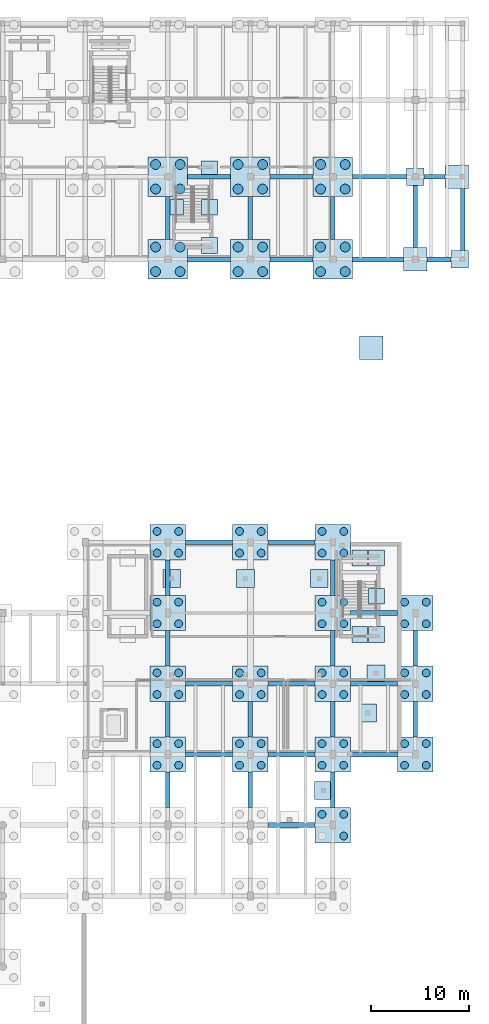
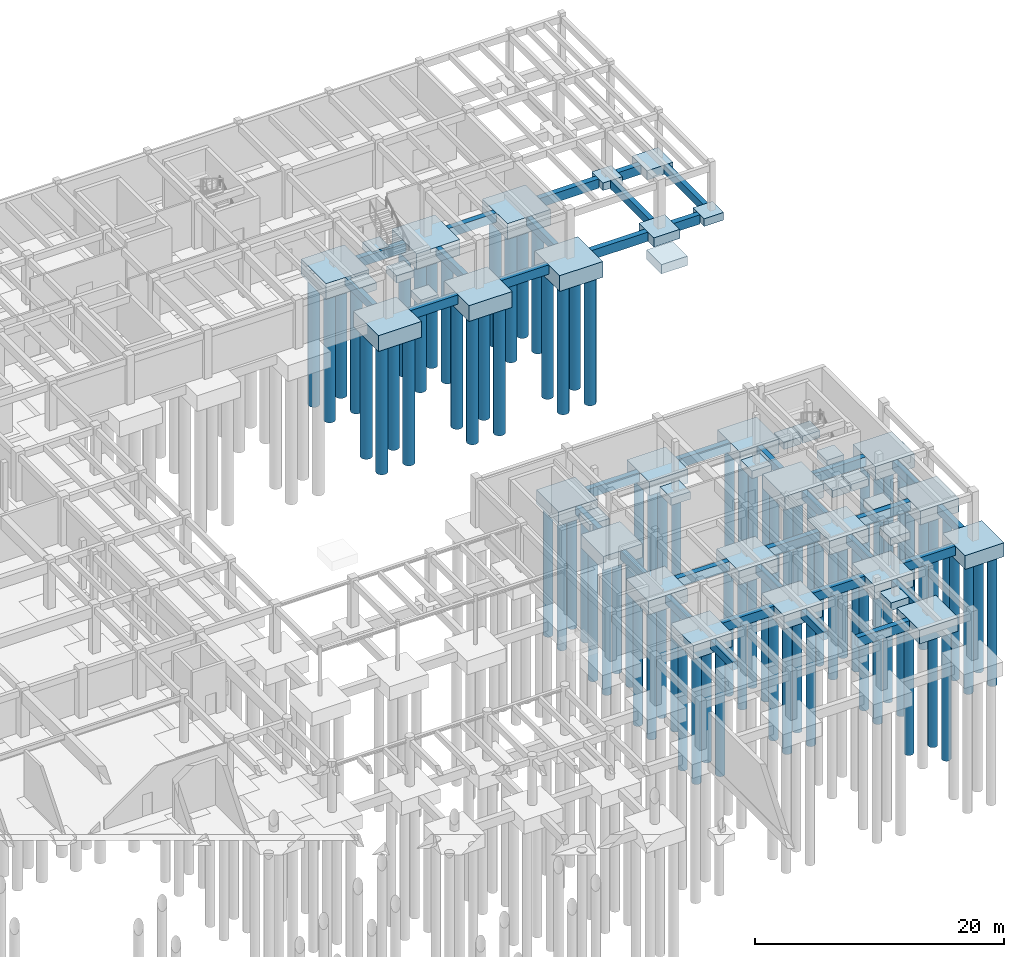
# One storey, part 8 of 46: 83 piles, 76 footings.
"""IFC4 building model written with IfcOpenShell, lengths in metres."""

from ifc_helpers import new_model, si_unit, direction, frame, origin, origin_2d, place, context, subcontext, project, spatial, rectangle, circle, extrude, material, material_profile, profile_set, type_object, element, save


model = new_model("IFC4")

# Units and contexts
model_context = context("Model", 3, precision=1e-05, world=origin(), true_north=direction((0.0, 1.0)))
body_context = subcontext(model_context, "Body", "Model", "MODEL_VIEW")
ifc_project = project(units=[si_unit("LENGTHUNIT", "METRE"), si_unit("AREAUNIT", "SQUARE_METRE"), si_unit("VOLUMEUNIT", "CUBIC_METRE"), si_unit("PLANEANGLEUNIT", "RADIAN"), si_unit("MASSUNIT", "GRAM", prefix="KILO")], contexts=[model_context])

# Site, building, storey
site_placement = place(None, origin())
site = spatial("IfcSite", under=ifc_project, at=site_placement, CompositionType="ELEMENT")
building_placement = place(site_placement, origin())
building = spatial("IfcBuilding", under=site, at=building_placement, Name="Tazoul Stagehouse", CompositionType="ELEMENT")
storey_placement = place(building_placement, frame((0.0, 0.0, -4.800048828125)))
storey = spatial("IfcBuildingStorey", under=building, at=storey_placement, Name="B1", CompositionType="ELEMENT", Elevation=-4.800048828125)

# Piles
ifc_material = material(Name="Concrete C35/45", Category="concrete")
ifc_material_profile_1 = material_profile(ifc_material, circle(Radius=0.5, at=origin_2d()), Name="BORED PILE 1000")
ifc_profile_set_1 = profile_set([ifc_material_profile_1], Name="Concrete C35/45")
pile_type_1 = type_object("IfcPileType", Name="Bored Cast-in-Place Concrete Pile D1000", PredefinedType="BORED", material=ifc_profile_set_1)
for number, where, z_axis, x_axis, name in (
    (1, (132.550048828125, 86.550048828125, -1.449951171875), (0.0, 0.0, -1.0), (1.0, 0.0, 0.0), "Bored Pile PL-03 20/N-1"),
    (2, (135.050048828125, 86.550048828125, -1.449951171875), (0.0, 0.0, -1.0), (1.0, 0.0, 0.0), "Bored Pile PL-03 20/N-2"),
    (3, (132.550048828125, 89.050048828125, -1.449951171875), (0.0, 0.0, -1.0), (1.0, 0.0, 0.0), "Bored Pile PL-03 20/N-3"),
    (4, (135.050048828125, 89.050048828125, -1.449951171875), (0.0, 0.0, -1.0), (1.0, 0.0, 0.0), "Bored Pile PL-03 20/N-4"),
    (5, (132.550048828125, 94.949951171875, -1.449951171875), (0.0, 0.0, -1.0), (1.0, 0.0, 0.0), "Bored Pile PL-03 20/P-1"),
    (6, (135.050048828125, 94.949951171875, -1.449951171875), (0.0, 0.0, -1.0), (1.0, 0.0, 0.0), "Bored Pile PL-03 20/P-2"),
    (7, (132.550048828125, 97.449951171875, -1.449951171875), (0.0, 0.0, -1.0), (1.0, 0.0, 0.0), "Bored Pile PL-03 20/P-3"),
    (8, (135.050048828125, 97.449951171875, -1.449951171875), (0.0, 0.0, -1.0), (1.0, 0.0, 0.0), "Bored Pile PL-03 20/P-4"),
    (9, (140.949951171875, 86.550048828125, -1.449951171875), (0.0, 0.0, -1.0), (1.0, 0.0, 0.0), "Bored Pile PL-03 21/N-1"),
    (10, (143.449951171875, 86.550048828125, -1.449951171875), (0.0, 0.0, -1.0), (1.0, 0.0, 0.0), "Bored Pile PL-03 21/N-2"),
    (11, (140.949951171875, 89.050048828125, -1.449951171875), (0.0, 0.0, -1.0), (1.0, 0.0, 0.0), "Bored Pile PL-03 21/N-3"),
    (12, (143.449951171875, 89.050048828125, -1.449951171875), (0.0, 0.0, -1.0), (1.0, 0.0, 0.0), "Bored Pile PL-03 21/N-4"),
    (13, (140.949951171875, 94.949951171875, -1.449951171875), (0.0, 0.0, -1.0), (1.0, 0.0, 0.0), "Bored Pile PL-03 21/P-1"),
    (14, (143.449951171875, 94.949951171875, -1.449951171875), (0.0, 0.0, -1.0), (1.0, 0.0, 0.0), "Bored Pile PL-03 21/P-2"),
    (15, (140.949951171875, 97.449951171875, -1.449951171875), (0.0, 0.0, -1.0), (1.0, 0.0, 0.0), "Bored Pile PL-03 21/P-3"),
    (16, (143.449951171875, 97.449951171875, -1.449951171875), (0.0, 0.0, -1.0), (1.0, 0.0, 0.0), "Bored Pile PL-03 21/P-4"),
    (17, (149.35009765625, 86.550048828125, -1.449951171875), (0.0, 0.0, -1.0), (1.0, 0.0, 0.0), "Bored Pile PL-03 22/N-1"),
    (18, (151.85009765625, 86.550048828125, -1.449951171875), (0.0, 0.0, -1.0), (1.0, 0.0, 0.0), "Bored Pile PL-03 22/N-2"),
    (19, (149.35009765625, 89.050048828125, -1.449951171875), (0.0, 0.0, -1.0), (1.0, 0.0, 0.0), "Bored Pile PL-03 22/N-3"),
    (20, (151.85009765625, 89.050048828125, -1.449951171875), (0.0, 0.0, -1.0), (1.0, 0.0, 0.0), "Bored Pile PL-03 22/N-4"),
    (21, (149.35009765625, 94.949951171875, -1.449951171875), (0.0, 0.0, -1.0), (1.0, 0.0, 0.0), "Bored Pile PL-03 22/P-1"),
    (22, (151.85009765625, 94.949951171875, -1.449951171875), (0.0, 0.0, -1.0), (1.0, 0.0, 0.0), "Bored Pile PL-03 22/P-2"),
    (23, (149.35009765625, 97.449951171875, -1.449951171875), (0.0, 0.0, -1.0), (1.0, 0.0, 0.0), "Bored Pile PL-03 22/P-3"),
    (24, (151.85009765625, 97.449951171875, -1.449951171875), (0.0, 0.0, -1.0), (1.0, 0.0, 0.0), "Bored Pile PL-03 22/P-4"),
):
    element("IfcPile", number, at=place(storey_placement, frame(where, z_axis=z_axis, x_axis=x_axis)), inside=storey, type_object=pile_type_1, Name=name, PredefinedType="BORED", context=body_context, shape_type="SweptSolid", body=[
        extrude(circle(Radius=0.5, at=origin_2d()), origin(), (0.0, 0.0, 1.0), 12.550048828125),
    ])
ifc_material_profile_2 = material_profile(ifc_material, circle(Radius=0.39990234375, at=origin_2d()), Name="BORED PILE 800")
ifc_profile_set_2 = profile_set([ifc_material_profile_2], Name="Concrete C35/45")
pile_type_2 = type_object("IfcPileType", Name="Bored Cast-in-Place Concrete Pile D800", PredefinedType="BORED", material=ifc_profile_set_2)
for number, where, z_axis, x_axis, name in (
    (25, (132.699951171875, 36.300048828125, -1.25), (0.0, 0.0, -1.0), (1.0, 0.0, 0.0), "Bored Pile PL-01 20/F-1"),
    (26, (134.89990234375, 36.300048828125, -1.25), (0.0, 0.0, -1.0), (1.0, 0.0, 0.0), "Bored Pile PL-01 20/F-2"),
    (27, (132.699951171875, 38.5, -1.25), (0.0, 0.0, -1.0), (1.0, 0.0, 0.0), "Bored Pile PL-01 20/F-3"),
    (28, (134.89990234375, 38.5, -1.25), (0.0, 0.0, -1.0), (1.0, 0.0, 0.0), "Bored Pile PL-01 20/F-4"),
    (29, (132.699951171875, 43.5, -1.25), (0.0, 0.0, -1.0), (1.0, 0.0, 0.0), "Bored Pile PL-01 20/G-1"),
    (30, (134.89990234375, 43.5, -1.25), (0.0, 0.0, -1.0), (1.0, 0.0, 0.0), "Bored Pile PL-01 20/G-2"),
    (31, (132.699951171875, 45.699951171875, -1.25), (0.0, 0.0, -1.0), (1.0, 0.0, 0.0), "Bored Pile PL-01 20/G-3"),
    (32, (134.89990234375, 45.699951171875, -1.25), (0.0, 0.0, -1.0), (1.0, 0.0, 0.0), "Bored Pile PL-01 20/G-4"),
    (33, (132.699951171875, 50.699951171875, -1.25), (0.0, 0.0, -1.0), (1.0, 0.0, 0.0), "Bored Pile PL-01 20/H-1"),
    (34, (134.89990234375, 50.699951171875, -1.25), (0.0, 0.0, -1.0), (1.0, 0.0, 0.0), "Bored Pile PL-01 20/H-2"),
    (35, (132.699951171875, 52.89990234375, -1.25), (0.0, 0.0, -1.0), (1.0, 0.0, 0.0), "Bored Pile PL-01 20/H-3"),
    (36, (134.89990234375, 52.89990234375, -1.25), (0.0, 0.0, -1.0), (1.0, 0.0, 0.0), "Bored Pile PL-01 20/H-4"),
    (37, (132.699951171875, 57.89990234375, -1.25), (0.0, 0.0, -1.0), (1.0, 0.0, 0.0), "Bored Pile PL-01 20/J-1"),
    (38, (134.89990234375, 57.89990234375, -1.25), (0.0, 0.0, -1.0), (1.0, 0.0, 0.0), "Bored Pile PL-01 20/J-2"),
    (39, (132.699951171875, 60.10009765625, -1.25), (0.0, 0.0, -1.0), (1.0, 0.0, 0.0), "Bored Pile PL-01 20/J-3"),
    (40, (134.89990234375, 60.10009765625, -1.25), (0.0, 0.0, -1.0), (1.0, 0.0, 0.0), "Bored Pile PL-01 20/J-4"),
    (41, (141.10009765625, 36.300048828125, -1.25), (0.0, 0.0, -1.0), (1.0, 0.0, 0.0), "Bored Pile PL-01 21/F-1"),
    (42, (143.300048828125, 36.300048828125, -1.25), (0.0, 0.0, -1.0), (1.0, 0.0, 0.0), "Bored Pile PL-01 21/F-2"),
    (43, (141.10009765625, 38.5, -1.25), (0.0, 0.0, -1.0), (1.0, 0.0, 0.0), "Bored Pile PL-01 21/F-3"),
    (44, (143.300048828125, 38.5, -1.25), (0.0, 0.0, -1.0), (1.0, 0.0, 0.0), "Bored Pile PL-01 21/F-4"),
    (45, (141.10009765625, 43.5, -1.25), (0.0, 0.0, -1.0), (1.0, 0.0, 0.0), "Bored Pile PL-01 21/G-1"),
    (46, (143.300048828125, 43.5, -1.25), (0.0, 0.0, -1.0), (1.0, 0.0, 0.0), "Bored Pile PL-01 21/G-2"),
    (47, (141.10009765625, 45.699951171875, -1.25), (0.0, 0.0, -1.0), (1.0, 0.0, 0.0), "Bored Pile PL-01 21/G-3"),
    (48, (143.300048828125, 45.699951171875, -1.25), (0.0, 0.0, -1.0), (1.0, 0.0, 0.0), "Bored Pile PL-01 21/G-4"),
    (49, (141.10009765625, 57.89990234375, -1.25), (0.0, 0.0, -1.0), (1.0, 0.0, 0.0), "Bored Pile PL-01 21/J-1"),
    (50, (143.300048828125, 57.89990234375, -1.25), (0.0, 0.0, -1.0), (1.0, 0.0, 0.0), "Bored Pile PL-01 21/J-2"),
    (51, (141.10009765625, 60.10009765625, -1.25), (0.0, 0.0, -1.0), (1.0, 0.0, 0.0), "Bored Pile PL-01 21/J-3"),
    (52, (143.300048828125, 60.10009765625, -1.25), (0.0, 0.0, -1.0), (1.0, 0.0, 0.0), "Bored Pile PL-01 21/J-4"),
    (53, (151.699951171875, 29.10009765625, -1.25), (0.0, 0.0, -1.0), (1.0, 0.0, 0.0), "Bored Pile PL-01 22/E-2"),
    (54, (149.5, 31.300048828125, -1.25), (0.0, 0.0, -1.0), (1.0, 0.0, 0.0), "Bored Pile PL-01 22/E-3"),
    (55, (151.699951171875, 31.300048828125, -1.25), (0.0, 0.0, -1.0), (1.0, 0.0, 0.0), "Bored Pile PL-01 22/E-4"),
    (56, (149.5, 36.300048828125, -1.25), (0.0, 0.0, -1.0), (1.0, 0.0, 0.0), "Bored Pile PL-01 22/F-1"),
    (57, (151.699951171875, 36.300048828125, -1.25), (0.0, 0.0, -1.0), (1.0, 0.0, 0.0), "Bored Pile PL-01 22/F-2"),
    (58, (149.5, 38.5, -1.25), (0.0, 0.0, -1.0), (1.0, 0.0, 0.0), "Bored Pile PL-01 22/F-3"),
    (59, (151.699951171875, 38.5, -1.25), (0.0, 0.0, -1.0), (1.0, 0.0, 0.0), "Bored Pile PL-01 22/F-4"),
    (60, (149.5, 43.5, -1.25), (0.0, 0.0, -1.0), (1.0, 0.0, 0.0), "Bored Pile PL-01 22/G-1"),
    (61, (151.699951171875, 43.5, -1.25), (0.0, 0.0, -1.0), (1.0, 0.0, 0.0), "Bored Pile PL-01 22/G-2"),
    (62, (149.5, 45.699951171875, -1.25), (0.0, 0.0, -1.0), (1.0, 0.0, 0.0), "Bored Pile PL-01 22/G-3"),
    (63, (151.699951171875, 45.699951171875, -1.25), (0.0, 0.0, -1.0), (1.0, 0.0, 0.0), "Bored Pile PL-01 22/G-4"),
    (64, (149.5, 50.699951171875, -1.25), (0.0, 0.0, -1.0), (1.0, 0.0, 0.0), "Bored Pile PL-01 22/H-1"),
    (65, (151.699951171875, 50.699951171875, -1.25), (0.0, 0.0, -1.0), (1.0, 0.0, 0.0), "Bored Pile PL-01 22/H-2"),
    (66, (149.5, 52.89990234375, -1.25), (0.0, 0.0, -1.0), (1.0, 0.0, 0.0), "Bored Pile PL-01 22/H-3"),
    (67, (151.699951171875, 52.89990234375, -1.25), (0.0, 0.0, -1.0), (1.0, 0.0, 0.0), "Bored Pile PL-01 22/H-4"),
    (68, (149.5, 57.89990234375, -1.25), (0.0, 0.0, -1.0), (1.0, 0.0, 0.0), "Bored Pile PL-01 22/J-1"),
    (69, (151.699951171875, 57.89990234375, -1.25), (0.0, 0.0, -1.0), (1.0, 0.0, 0.0), "Bored Pile PL-01 22/J-2"),
    (70, (149.5, 60.10009765625, -1.25), (0.0, 0.0, -1.0), (1.0, 0.0, 0.0), "Bored Pile PL-01 22/J-3"),
    (71, (151.699951171875, 60.10009765625, -1.25), (0.0, 0.0, -1.0), (1.0, 0.0, 0.0), "Bored Pile PL-01 22/J-4"),
    (72, (157.89990234375, 36.300048828125, -1.25), (0.0, 0.0, -1.0), (1.0, 0.0, 0.0), "Bored Pile PL-01 23/F-1"),
    (73, (160.10009765625, 36.300048828125, -1.25), (0.0, 0.0, -1.0), (1.0, 0.0, 0.0), "Bored Pile PL-01 23/F-2"),
    (74, (157.89990234375, 38.5, -1.25), (0.0, 0.0, -1.0), (1.0, 0.0, 0.0), "Bored Pile PL-01 23/F-3"),
    (75, (160.10009765625, 38.5, -1.25), (0.0, 0.0, -1.0), (1.0, 0.0, 0.0), "Bored Pile PL-01 23/F-4"),
    (76, (157.89990234375, 43.5, -1.25), (0.0, 0.0, -1.0), (1.0, 0.0, 0.0), "Bored Pile PL-01 23/G-1"),
    (77, (160.10009765625, 43.5, -1.25), (0.0, 0.0, -1.0), (1.0, 0.0, 0.0), "Bored Pile PL-01 23/G-2"),
    (78, (157.89990234375, 45.699951171875, -1.25), (0.0, 0.0, -1.0), (1.0, 0.0, 0.0), "Bored Pile PL-01 23/G-3"),
    (79, (160.10009765625, 45.699951171875, -1.25), (0.0, 0.0, -1.0), (1.0, 0.0, 0.0), "Bored Pile PL-01 23/G-4"),
    (80, (157.89990234375, 50.699951171875, -1.25), (0.0, 0.0, -1.0), (1.0, 0.0, 0.0), "Bored Pile PL-01 23/H-1"),
    (81, (160.10009765625, 50.699951171875, -1.25), (0.0, 0.0, -1.0), (1.0, 0.0, 0.0), "Bored Pile PL-01 23/H-2"),
    (82, (157.89990234375, 52.89990234375, -1.25), (0.0, 0.0, -1.0), (1.0, 0.0, 0.0), "Bored Pile PL-01 23/H-3"),
    (83, (160.10009765625, 52.89990234375, -1.25), (0.0, 0.0, -1.0), (1.0, 0.0, 0.0), "Bored Pile PL-01 23/H-4"),
):
    element("IfcPile", number, at=place(storey_placement, frame(where, z_axis=z_axis, x_axis=x_axis)), inside=storey, type_object=pile_type_2, Name=name, PredefinedType="BORED", context=body_context, shape_type="SweptSolid", body=[
        extrude(circle(Radius=0.39990234375, at=origin_2d()), origin(), (0.0, 0.0, 1.0), 12.75),
    ])

# Footings
footing_type_1 = type_object("IfcFootingType", Name="Four-Pile Cap 3600x3600x1350", PredefinedType="PILE_CAP", material=ifc_material)
for number, where, z_axis, x_axis, name in (
    (84, (133.800048828125, 37.39990234375, -1.35009765625), (0.0, 0.0, 1.0), (1.0, 0.0, 0.0), "Pile Cap PC-04 at 20/F"),
    (85, (133.800048828125, 44.60009765625, -1.35009765625), (0.0, 0.0, 1.0), (1.0, 0.0, 0.0), "Pile Cap PC-04 at 20/G"),
    (86, (133.800048828125, 51.800048828125, -1.35009765625), (0.0, 0.0, 1.0), (1.0, 0.0, 0.0), "Pile Cap PC-04 at 20/H"),
    (87, (133.800048828125, 59.0, -1.35009765625), (0.0, 0.0, 1.0), (1.0, 0.0, 0.0), "Pile Cap PC-04 at 20/J"),
    (88, (142.199951171875, 37.39990234375, -1.35009765625), (0.0, 0.0, 1.0), (1.0, 0.0, 0.0), "Pile Cap PC-04 at 21/F"),
    (89, (142.199951171875, 44.60009765625, -1.35009765625), (0.0, 0.0, 1.0), (1.0, 0.0, 0.0), "Pile Cap PC-04 at 21/G"),
    (90, (142.199951171875, 59.0, -1.35009765625), (0.0, 0.0, 1.0), (1.0, 0.0, 0.0), "Pile Cap PC-04 at 21/J"),
    (91, (150.60009765625, 30.199951171875, -1.35009765625), (0.0, 0.0, 1.0), (1.0, 0.0, 0.0), "Pile Cap PC-04 at 22/E"),
    (92, (150.60009765625, 37.39990234375, -1.35009765625), (0.0, 0.0, 1.0), (1.0, 0.0, 0.0), "Pile Cap PC-04 at 22/F"),
    (93, (150.60009765625, 44.60009765625, -1.35009765625), (0.0, 0.0, 1.0), (1.0, 0.0, 0.0), "Pile Cap PC-04 at 22/G"),
    (94, (150.60009765625, 51.800048828125, -1.35009765625), (0.0, 0.0, 1.0), (1.0, 0.0, 0.0), "Pile Cap PC-04 at 22/H"),
    (95, (150.60009765625, 59.0, -1.35009765625), (0.0, 0.0, 1.0), (1.0, 0.0, 0.0), "Pile Cap PC-04 at 22/J"),
    (96, (159.0, 37.39990234375, -1.35009765625), (0.0, 0.0, 1.0), (1.0, 0.0, 0.0), "Pile Cap PC-04 at 23/F"),
    (97, (159.0, 44.60009765625, -1.35009765625), (0.0, 0.0, 1.0), (1.0, 0.0, 0.0), "Pile Cap PC-04 at 23/G"),
    (98, (159.0, 51.800048828125, -1.35009765625), (0.0, 0.0, 1.0), (1.0, 0.0, 0.0), "Pile Cap PC-04 at 23/H"),
):
    element("IfcFooting", number, at=place(storey_placement, frame(where, z_axis=z_axis, x_axis=x_axis)), inside=storey, type_object=footing_type_1, Name=name, PredefinedType="PILE_CAP", context=body_context, shape_type="SweptSolid", body=[
        extrude(rectangle(XDim=3.60009765625, YDim=3.60009765625, at=origin_2d()), origin(), (0.0, 0.0, 1.0), 1.35009765625),
    ])
footing_type_2 = type_object("IfcFootingType", Name="Four-Pile Cap 4000x4000x1550", PredefinedType="PILE_CAP", material=ifc_material)
for number, where, z_axis, x_axis, name in (
    (99, (133.800048828125, 87.800048828125, -1.5498046875), (0.0, 0.0, 1.0), (1.0, 0.0, 0.0), "Pile Cap PC-06 at 20/N"),
    (100, (133.800048828125, 96.199951171875, -1.5498046875), (0.0, 0.0, 1.0), (1.0, 0.0, 0.0), "Pile Cap PC-06 at 20/P"),
    (101, (142.199951171875, 87.800048828125, -1.5498046875), (0.0, 0.0, 1.0), (1.0, 0.0, 0.0), "Pile Cap PC-06 at 21/N"),
    (102, (142.199951171875, 96.199951171875, -1.5498046875), (0.0, 0.0, 1.0), (1.0, 0.0, 0.0), "Pile Cap PC-06 at 21/P"),
    (103, (150.60009765625, 87.800048828125, -1.5498046875), (0.0, 0.0, 1.0), (1.0, 0.0, 0.0), "Pile Cap PC-06 at 22/N"),
    (104, (150.60009765625, 96.199951171875, -1.5498046875), (0.0, 0.0, 1.0), (1.0, 0.0, 0.0), "Pile Cap PC-06 at 22/P"),
):
    element("IfcFooting", number, at=place(storey_placement, frame(where, z_axis=z_axis, x_axis=x_axis)), inside=storey, type_object=footing_type_2, Name=name, PredefinedType="PILE_CAP", context=body_context, shape_type="SweptSolid", body=[
        extrude(rectangle(XDim=4.0, YDim=4.0, at=origin_2d()), origin(), (0.0, 0.0, 1.0), 1.550048828125),
    ])
ifc_material_profile_3 = material_profile(ifc_material, rectangle(XDim=0.449951171875, YDim=0.800048828125, at=origin_2d()), Name="RC 450x800")
ifc_profile_set_3 = profile_set([ifc_material_profile_3], Name="Concrete C35/45")
footing_type_3 = type_object("IfcFootingType", Name="Ground Tie Beam 450x800", PredefinedType="FOOTING_BEAM", material=ifc_profile_set_3)
for number, where, z_axis, x_axis, name in (
    (105, (133.800048828125, 32.0, -0.39990234375), (0.0, 1.0, 0.0), (-1.0, 0.0, 0.0), "Ground Tie Beam GB-01 20/E-F"),
    (106, (133.800048828125, 39.199951171875, -0.39990234375), (0.0, 1.0, 0.0), (-1.0, 0.0, 0.0), "Ground Tie Beam GB-01 20/F-G"),
    (107, (133.800048828125, 46.39990234375, -0.39990234375), (0.0, 1.0, 0.0), (-1.0, 0.0, 0.0), "Ground Tie Beam GB-01 20/G-H"),
):
    element("IfcFooting", number, at=place(storey_placement, frame(where, z_axis=z_axis, x_axis=x_axis)), inside=storey, type_object=footing_type_3, Name=name, PredefinedType="FOOTING_BEAM", context=body_context, shape_type="SweptSolid", body=[
        extrude(rectangle(XDim=0.449951171875, YDim=0.800048828125, at=origin_2d()), origin(), (0.0, 0.0, 1.0), 3.60009765625),
    ])
footing_1_placement = place(storey_placement, frame((133.800048828125, 53.60009765625, -0.39990234375), z_axis=(0.0, 1.0, 0.0), x_axis=(-1.0, 0.0, 0.0)))
element("IfcFooting", 108, at=footing_1_placement, inside=storey, type_object=footing_type_3, Name="Ground Tie Beam GB-01 20/H-J", PredefinedType="FOOTING_BEAM", context=body_context, shape_type="SweptSolid", body=[
    extrude(rectangle(XDim=0.449951171875, YDim=0.800048828125, at=origin_2d()), origin(), (0.0, 0.0, 1.0), 3.599853515625),
])
footing_2_placement = place(storey_placement, frame((133.800048828125, 89.800048828125, -0.39990234375), z_axis=(0.0, 1.0, 0.0), x_axis=(-1.0, 0.0, 0.0)))
element("IfcFooting", 109, at=footing_2_placement, inside=storey, type_object=footing_type_3, Name="Ground Tie Beam GB-01 20/N-P", PredefinedType="FOOTING_BEAM", context=body_context, shape_type="SweptSolid", body=[
    extrude(rectangle(XDim=0.449951171875, YDim=0.800048828125, at=origin_2d()), origin(), (0.0, 0.0, 1.0), 4.39990234375),
])
for number, where, z_axis, x_axis, name in (
    (110, (142.199951171875, 32.0, -0.39990234375), (0.0, 1.0, 0.0), (-1.0, 0.0, 0.0), "Ground Tie Beam GB-01 21/E-F"),
    (111, (142.199951171875, 39.199951171875, -0.39990234375), (0.0, 1.0, 0.0), (-1.0, 0.0, 0.0), "Ground Tie Beam GB-01 21/F-G"),
):
    element("IfcFooting", number, at=place(storey_placement, frame(where, z_axis=z_axis, x_axis=x_axis)), inside=storey, type_object=footing_type_3, Name=name, PredefinedType="FOOTING_BEAM", context=body_context, shape_type="SweptSolid", body=[
        extrude(rectangle(XDim=0.449951171875, YDim=0.800048828125, at=origin_2d()), origin(), (0.0, 0.0, 1.0), 3.60009765625),
    ])
footing_3_placement = place(storey_placement, frame((142.199951171875, 89.800048828125, -0.39990234375), z_axis=(0.0, 1.0, 0.0), x_axis=(-1.0, 0.0, 0.0)))
element("IfcFooting", 112, at=footing_3_placement, inside=storey, type_object=footing_type_3, Name="Ground Tie Beam GB-01 21/N-P", PredefinedType="FOOTING_BEAM", context=body_context, shape_type="SweptSolid", body=[
    extrude(rectangle(XDim=0.449951171875, YDim=0.800048828125, at=origin_2d()), origin(), (0.0, 0.0, 1.0), 4.39990234375),
])
for number, where, z_axis, x_axis, name in (
    (113, (150.60009765625, 32.0, -0.39990234375), (0.0, 1.0, 0.0), (-1.0, 0.0, 0.0), "Ground Tie Beam GB-01 22/E-F"),
    (114, (150.60009765625, 39.199951171875, -0.39990234375), (0.0, 1.0, 0.0), (-1.0, 0.0, 0.0), "Ground Tie Beam GB-01 22/F-G"),
    (115, (150.60009765625, 46.39990234375, -0.39990234375), (0.0, 1.0, 0.0), (-1.0, 0.0, 0.0), "Ground Tie Beam GB-01 22/G-H"),
):
    element("IfcFooting", number, at=place(storey_placement, frame(where, z_axis=z_axis, x_axis=x_axis)), inside=storey, type_object=footing_type_3, Name=name, PredefinedType="FOOTING_BEAM", context=body_context, shape_type="SweptSolid", body=[
        extrude(rectangle(XDim=0.449951171875, YDim=0.800048828125, at=origin_2d()), origin(), (0.0, 0.0, 1.0), 3.60009765625),
    ])
footing_4_placement = place(storey_placement, frame((150.60009765625, 53.60009765625, -0.39990234375), z_axis=(0.0, 1.0, 0.0), x_axis=(-1.0, 0.0, 0.0)))
element("IfcFooting", 116, at=footing_4_placement, inside=storey, type_object=footing_type_3, Name="Ground Tie Beam GB-01 22/H-J", PredefinedType="FOOTING_BEAM", context=body_context, shape_type="SweptSolid", body=[
    extrude(rectangle(XDim=0.449951171875, YDim=0.800048828125, at=origin_2d()), origin(), (0.0, 0.0, 1.0), 3.599853515625),
])
footing_5_placement = place(storey_placement, frame((150.60009765625, 89.800048828125, -0.39990234375), z_axis=(0.0, 1.0, 0.0), x_axis=(-1.0, 0.0, 0.0)))
element("IfcFooting", 117, at=footing_5_placement, inside=storey, type_object=footing_type_3, Name="Ground Tie Beam GB-01 22/N-P", PredefinedType="FOOTING_BEAM", context=body_context, shape_type="SweptSolid", body=[
    extrude(rectangle(XDim=0.449951171875, YDim=0.800048828125, at=origin_2d()), origin(), (0.0, 0.0, 1.0), 4.39990234375),
])
for number, where, z_axis, x_axis, name in (
    (118, (159.0, 39.199951171875, -0.39990234375), (0.0, 1.0, 0.0), (-1.0, 0.0, 0.0), "Ground Tie Beam GB-01 23/F-G"),
    (119, (159.0, 46.39990234375, -0.39990234375), (0.0, 1.0, 0.0), (-1.0, 0.0, 0.0), "Ground Tie Beam GB-01 23/G-H"),
):
    element("IfcFooting", number, at=place(storey_placement, frame(where, z_axis=z_axis, x_axis=x_axis)), inside=storey, type_object=footing_type_3, Name=name, PredefinedType="FOOTING_BEAM", context=body_context, shape_type="SweptSolid", body=[
        extrude(rectangle(XDim=0.449951171875, YDim=0.800048828125, at=origin_2d()), origin(), (0.0, 0.0, 1.0), 3.60009765625),
    ])
for number, where, z_axis, x_axis, name in (
    (120, (159.0, 89.0, -0.39990234375), (0.0, 1.0, 0.0), (-1.0, 0.0, 0.0), "Ground Tie Beam GB-01 23/N-P"),
    (121, (163.800048828125, 88.699951171875, -0.39990234375), (0.0, 1.0, 0.0), (-1.0, 0.0, 0.0), "Ground Tie Beam GB-01 24/N-P"),
):
    element("IfcFooting", number, at=place(storey_placement, frame(where, z_axis=z_axis, x_axis=x_axis)), inside=storey, type_object=footing_type_3, Name=name, PredefinedType="FOOTING_BEAM", context=body_context, shape_type="SweptSolid", body=[
        extrude(rectangle(XDim=0.449951171875, YDim=0.800048828125, at=origin_2d()), origin(), (0.0, 0.0, 1.0), 6.300048828125),
    ])
ifc_material_profile_4 = material_profile(ifc_material, rectangle(XDim=0.5, YDim=0.89990234375, at=origin_2d()), Name="RC 500x900")
ifc_profile_set_4 = profile_set([ifc_material_profile_4], Name="Concrete C35/45")
footing_type_4 = type_object("IfcFootingType", Name="Ground Tie Beam 500x900", PredefinedType="FOOTING_BEAM", material=ifc_profile_set_4)
footing_6_placement = place(storey_placement, frame((144.0, 30.199951171875, -0.449951171875), z_axis=(1.0, 0.0, 0.0), x_axis=(0.0, 1.0, 0.0)))
element("IfcFooting", 122, at=footing_6_placement, inside=storey, type_object=footing_type_4, Name="Ground Tie Beam GB-02 E/21-22", PredefinedType="FOOTING_BEAM", context=body_context, shape_type="SweptSolid", body=[
    extrude(rectangle(XDim=0.5, YDim=0.89990234375, at=origin_2d()), origin(), (0.0, 0.0, 1.0), 4.800048828125),
])
footing_7_placement = place(storey_placement, frame((135.60009765625, 37.39990234375, -0.449951171875), z_axis=(1.0, 0.0, 0.0), x_axis=(0.0, 1.0, 0.0)))
element("IfcFooting", 123, at=footing_7_placement, inside=storey, type_object=footing_type_4, Name="Ground Tie Beam GB-02 F/20-21", PredefinedType="FOOTING_BEAM", context=body_context, shape_type="SweptSolid", body=[
    extrude(rectangle(XDim=0.5, YDim=0.89990234375, at=origin_2d()), origin(), (0.0, 0.0, 1.0), 4.7998046875),
])
for number, where, z_axis, x_axis, name in (
    (124, (144.0, 37.39990234375, -0.449951171875), (1.0, 0.0, 0.0), (0.0, 1.0, 0.0), "Ground Tie Beam GB-02 F/21-22"),
    (125, (152.39990234375, 37.39990234375, -0.449951171875), (1.0, 0.0, 0.0), (0.0, 1.0, 0.0), "Ground Tie Beam GB-02 F/22-23"),
):
    element("IfcFooting", number, at=place(storey_placement, frame(where, z_axis=z_axis, x_axis=x_axis)), inside=storey, type_object=footing_type_4, Name=name, PredefinedType="FOOTING_BEAM", context=body_context, shape_type="SweptSolid", body=[
        extrude(rectangle(XDim=0.5, YDim=0.89990234375, at=origin_2d()), origin(), (0.0, 0.0, 1.0), 4.800048828125),
    ])
footing_8_placement = place(storey_placement, frame((135.60009765625, 44.60009765625, -0.449951171875), z_axis=(1.0, 0.0, 0.0), x_axis=(0.0, 1.0, 0.0)))
element("IfcFooting", 126, at=footing_8_placement, inside=storey, type_object=footing_type_4, Name="Ground Tie Beam GB-02 G/20-21", PredefinedType="FOOTING_BEAM", context=body_context, shape_type="SweptSolid", body=[
    extrude(rectangle(XDim=0.5, YDim=0.89990234375, at=origin_2d()), origin(), (0.0, 0.0, 1.0), 4.7998046875),
])
for number, where, z_axis, x_axis, name in (
    (127, (144.0, 44.60009765625, -0.449951171875), (1.0, 0.0, 0.0), (0.0, 1.0, 0.0), "Ground Tie Beam GB-02 G/21-22"),
    (128, (152.39990234375, 44.60009765625, -0.449951171875), (1.0, 0.0, 0.0), (0.0, 1.0, 0.0), "Ground Tie Beam GB-02 G/22-23"),
    (129, (152.39990234375, 51.800048828125, -0.449951171875), (1.0, 0.0, 0.0), (0.0, 1.0, 0.0), "Ground Tie Beam GB-02 H/22-23"),
):
    element("IfcFooting", number, at=place(storey_placement, frame(where, z_axis=z_axis, x_axis=x_axis)), inside=storey, type_object=footing_type_4, Name=name, PredefinedType="FOOTING_BEAM", context=body_context, shape_type="SweptSolid", body=[
        extrude(rectangle(XDim=0.5, YDim=0.89990234375, at=origin_2d()), origin(), (0.0, 0.0, 1.0), 4.800048828125),
    ])
footing_9_placement = place(storey_placement, frame((135.60009765625, 59.0, -0.449951171875), z_axis=(1.0, 0.0, 0.0), x_axis=(0.0, 1.0, 0.0)))
element("IfcFooting", 130, at=footing_9_placement, inside=storey, type_object=footing_type_4, Name="Ground Tie Beam GB-02 J/20-21", PredefinedType="FOOTING_BEAM", context=body_context, shape_type="SweptSolid", body=[
    extrude(rectangle(XDim=0.5, YDim=0.89990234375, at=origin_2d()), origin(), (0.0, 0.0, 1.0), 4.7998046875),
])
footing_10_placement = place(storey_placement, frame((144.0, 59.0, -0.449951171875), z_axis=(1.0, 0.0, 0.0), x_axis=(0.0, 1.0, 0.0)))
element("IfcFooting", 131, at=footing_10_placement, inside=storey, type_object=footing_type_4, Name="Ground Tie Beam GB-02 J/21-22", PredefinedType="FOOTING_BEAM", context=body_context, shape_type="SweptSolid", body=[
    extrude(rectangle(XDim=0.5, YDim=0.89990234375, at=origin_2d()), origin(), (0.0, 0.0, 1.0), 4.800048828125),
])
footing_11_placement = place(storey_placement, frame((135.800048828125, 87.800048828125, -0.449951171875), z_axis=(1.0, 0.0, 0.0), x_axis=(0.0, 1.0, 0.0)))
element("IfcFooting", 132, at=footing_11_placement, inside=storey, type_object=footing_type_4, Name="Ground Tie Beam GB-02 N/20-21", PredefinedType="FOOTING_BEAM", context=body_context, shape_type="SweptSolid", body=[
    extrude(rectangle(XDim=0.5, YDim=0.89990234375, at=origin_2d()), origin(), (0.0, 0.0, 1.0), 4.39990234375),
])
footing_12_placement = place(storey_placement, frame((144.199951171875, 87.800048828125, -0.449951171875), z_axis=(1.0, 0.0, 0.0), x_axis=(0.0, 1.0, 0.0)))
element("IfcFooting", 133, at=footing_12_placement, inside=storey, type_object=footing_type_4, Name="Ground Tie Beam GB-02 N/21-22", PredefinedType="FOOTING_BEAM", context=body_context, shape_type="SweptSolid", body=[
    extrude(rectangle(XDim=0.5, YDim=0.89990234375, at=origin_2d()), origin(), (0.0, 0.0, 1.0), 4.400146484375),
])
footing_13_placement = place(storey_placement, frame((152.60009765625, 87.800048828125, -0.449951171875), z_axis=(1.0, 0.0, 0.0), x_axis=(0.0, 1.0, 0.0)))
element("IfcFooting", 134, at=footing_13_placement, inside=storey, type_object=footing_type_4, Name="Ground Tie Beam GB-02 N/22-23", PredefinedType="FOOTING_BEAM", context=body_context, shape_type="SweptSolid", body=[
    extrude(rectangle(XDim=0.5, YDim=0.89990234375, at=origin_2d()), origin(), (0.0, 0.0, 1.0), 5.199951171875),
])
footing_14_placement = place(storey_placement, frame((160.199951171875, 87.800048828125, -0.449951171875), z_axis=(1.0, 0.0, 0.0), x_axis=(0.0, 1.0, 0.0)))
element("IfcFooting", 135, at=footing_14_placement, inside=storey, type_object=footing_type_4, Name="Ground Tie Beam GB-02 N/23-24", PredefinedType="FOOTING_BEAM", context=body_context, shape_type="SweptSolid", body=[
    extrude(rectangle(XDim=0.5, YDim=0.89990234375, at=origin_2d()), origin(), (0.0, 0.0, 1.0), 2.420166015625),
])
footing_15_placement = place(storey_placement, frame((135.800048828125, 96.199951171875, -0.449951171875), z_axis=(1.0, 0.0, 0.0), x_axis=(0.0, 1.0, 0.0)))
element("IfcFooting", 136, at=footing_15_placement, inside=storey, type_object=footing_type_4, Name="Ground Tie Beam GB-02 P/20-21", PredefinedType="FOOTING_BEAM", context=body_context, shape_type="SweptSolid", body=[
    extrude(rectangle(XDim=0.5, YDim=0.89990234375, at=origin_2d()), origin(), (0.0, 0.0, 1.0), 4.39990234375),
])
footing_16_placement = place(storey_placement, frame((144.199951171875, 96.199951171875, -0.449951171875), z_axis=(1.0, 0.0, 0.0), x_axis=(0.0, 1.0, 0.0)))
element("IfcFooting", 137, at=footing_16_placement, inside=storey, type_object=footing_type_4, Name="Ground Tie Beam GB-02 P/21-22", PredefinedType="FOOTING_BEAM", context=body_context, shape_type="SweptSolid", body=[
    extrude(rectangle(XDim=0.5, YDim=0.89990234375, at=origin_2d()), origin(), (0.0, 0.0, 1.0), 4.400146484375),
])
footing_17_placement = place(storey_placement, frame((152.60009765625, 96.199951171875, -0.449951171875), z_axis=(1.0, 0.0, 0.0), x_axis=(0.0, 1.0, 0.0)))
element("IfcFooting", 138, at=footing_17_placement, inside=storey, type_object=footing_type_4, Name="Ground Tie Beam GB-02 P/22-23", PredefinedType="FOOTING_BEAM", context=body_context, shape_type="SweptSolid", body=[
    extrude(rectangle(XDim=0.5, YDim=0.89990234375, at=origin_2d()), origin(), (0.0, 0.0, 1.0), 5.5),
])
footing_18_placement = place(storey_placement, frame((159.89990234375, 96.199951171875, -0.449951171875), z_axis=(1.0, 0.0, 0.0), x_axis=(0.0, 1.0, 0.0)))
element("IfcFooting", 139, at=footing_18_placement, inside=storey, type_object=footing_type_4, Name="Ground Tie Beam GB-02 P/23-24", PredefinedType="FOOTING_BEAM", context=body_context, shape_type="SweptSolid", body=[
    extrude(rectangle(XDim=0.5, YDim=0.89990234375, at=origin_2d()), origin(), (0.0, 0.0, 1.0), 2.1201171875),
])
footing_type_5 = type_object("IfcFootingType", Name="Spread Pad Footing 1600x1600x700", PredefinedType="PAD_FOOTING", material=ifc_material)
for number, where, z_axis, x_axis, name in (
    (140, (138.050048828125, 97.0, -0.69970703125), (0.0, 0.0, 1.0), (1.0, 0.0, 0.0), "Core Support Pad Footing PF-01 (C4B2)"),
    (141, (138.050048828125, 89.199951171875, -0.69970703125), (0.0, 0.0, 1.0), (1.0, 0.0, 0.0), "Core Support Pad Footing PF-01 (C4B4)"),
    (142, (134.60009765625, 93.10009765625, -0.69970703125), (0.0, 0.0, 1.0), (1.0, 0.0, 0.0), "Core Support Pad Footing PF-01 (C4B7)"),
    (143, (138.050048828125, 93.10009765625, -0.69970703125), (0.0, 0.0, 1.0), (1.0, 0.0, 0.0), "Core Support Pad Footing PF-01 (C4B8)"),
    (144, (155.050048828125, 57.39990234375, -0.69970703125), (0.0, 0.0, 1.0), (1.0, 0.0, 0.0), "Core Support Pad Footing PF-01 (C7B2)"),
    (145, (155.050048828125, 49.60009765625, -0.69970703125), (0.0, 0.0, 1.0), (1.0, 0.0, 0.0), "Core Support Pad Footing PF-01 (C7B4)"),
    (146, (153.324951171875, 49.60009765625, -0.69970703125), (0.0, 0.0, 1.0), (1.0, 0.0, 0.0), "Core Support Pad Footing PF-01 (C7B5)"),
    (147, (153.324951171875, 57.39990234375, -0.69970703125), (0.0, 0.0, 1.0), (1.0, 0.0, 0.0), "Core Support Pad Footing PF-01 (C7B6)"),
    (148, (155.050048828125, 53.5, -0.69970703125), (0.0, 0.0, 1.0), (1.0, 0.0, 0.0), "Core Support Pad Footing PF-01 (C7B8)"),
):
    element("IfcFooting", number, at=place(storey_placement, frame(where, z_axis=z_axis, x_axis=x_axis)), inside=storey, type_object=footing_type_5, Name=name, PredefinedType="PAD_FOOTING", context=body_context, shape_type="SweptSolid", body=[
        extrude(rectangle(XDim=1.60009765625, YDim=1.60009765625, at=origin_2d()), origin(), (0.0, 0.0, 1.0), 0.699951171875),
    ])
footing_type_6 = type_object("IfcFootingType", Name="Spread Pad Footing 1800x1800x750", PredefinedType="PAD_FOOTING", material=ifc_material)
for number, where, z_axis, x_axis, name in (
    (149, (159.0, 96.199951171875, -0.75), (0.0, 0.0, 1.0), (1.0, 0.0, 0.0), "Pad Footing PF-02 at 23/P"),
    (150, (163.52001953125, 87.800048828125, -0.75), (0.0, 0.0, 1.0), (1.0, 0.0, 0.0), "Pad Footing PF-02 at 24/N"),
    (151, (134.199951171875, 55.300048828125, -0.75), (0.0, 0.0, 1.0), (1.0, 0.0, 0.0), "Bowl Support Pad Footing PF-02 (V4-STUDIO-FRT-1)"),
    (152, (141.699951171875, 55.300048828125, -0.75), (0.0, 0.0, 1.0), (1.0, 0.0, 0.0), "Bowl Support Pad Footing PF-02 (V4-STUDIO-FRT-2)"),
    (153, (149.199951171875, 55.300048828125, -0.75), (0.0, 0.0, 1.0), (1.0, 0.0, 0.0), "Bowl Support Pad Footing PF-02 (V4-STUDIO-FRT-3)"),
    (154, (154.993408203125, 45.623291015625, -0.75), (0.0, 0.0, 1.0), (1.0, 0.0, 0.0), "V4 Studio Drum Radial Footing PF-02 (04)"),
    (155, (154.14990234375, 41.627197265625, -0.75), (0.0, 0.0, 1.0), (1.0, 0.0, 0.0), "V4 Studio Drum Radial Footing PF-02 (05)"),
    (156, (149.637939453125, 33.73291015625, -0.75), (0.0, 0.0, 1.0), (1.0, 0.0, 0.0), "V4 Studio Drum Radial Footing PF-02 (07)"),
):
    element("IfcFooting", number, at=place(storey_placement, frame(where, z_axis=z_axis, x_axis=x_axis)), inside=storey, type_object=footing_type_6, Name=name, PredefinedType="PAD_FOOTING", context=body_context, shape_type="SweptSolid", body=[
        extrude(rectangle(XDim=1.800048828125, YDim=1.800048828125, at=origin_2d()), origin(), (0.0, 0.0, 1.0), 0.75),
    ])
footing_type_7 = type_object("IfcFootingType", Name="Spread Pad Footing 2400x2400x900", PredefinedType="PAD_FOOTING", material=ifc_material)
for number, where, z_axis, x_axis, name in (
    (157, (159.0, 87.800048828125, -0.89990234375), (0.0, 0.0, 1.0), (1.0, 0.0, 0.0), "Pad Footing PF-05 at 23/N"),
    (158, (163.219970703125, 96.199951171875, -0.89990234375), (0.0, 0.0, 1.0), (1.0, 0.0, 0.0), "Pad Footing PF-05 at 24/P"),
    (159, (154.5, 78.800048828125, 3.5), (0.0, 0.0, 1.0), (1.0, 0.0, 0.0), "Backstage Courtyard Step-Free Stage Ramp Toe Foundation Pad PF-05"),
):
    element("IfcFooting", number, at=place(storey_placement, frame(where, z_axis=z_axis, x_axis=x_axis)), inside=storey, type_object=footing_type_7, Name=name, PredefinedType="PAD_FOOTING", context=body_context, shape_type="SweptSolid", body=[
        extrude(rectangle(XDim=2.39990234375, YDim=2.39990234375, at=origin_2d()), origin(), (0.0, 0.0, 1.0), 0.89990234375),
    ])

save(model, "model.ifc")
